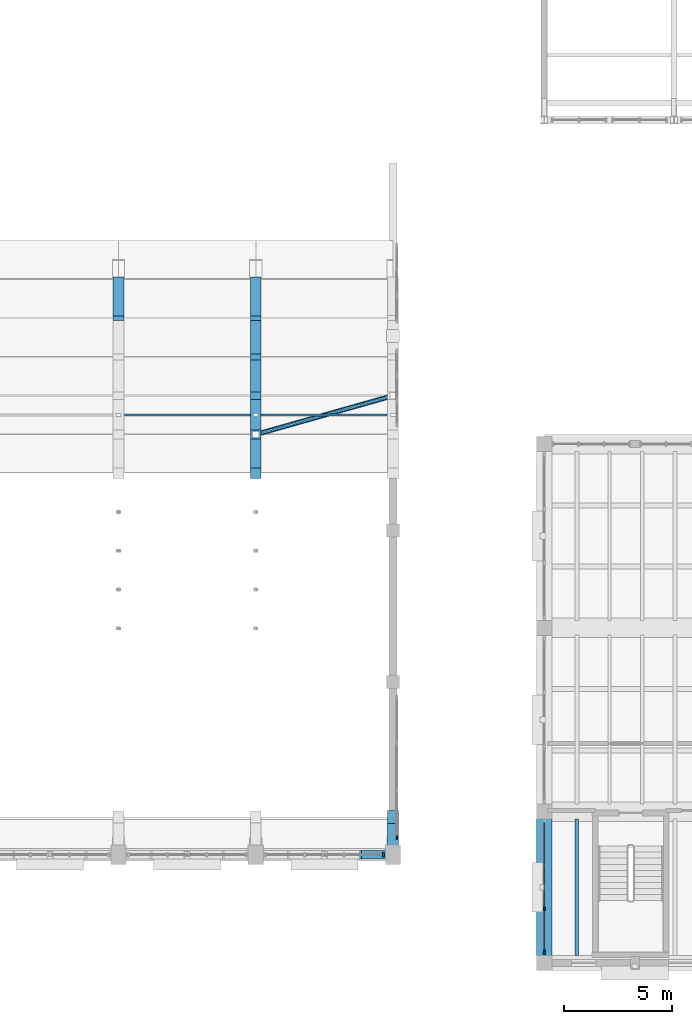
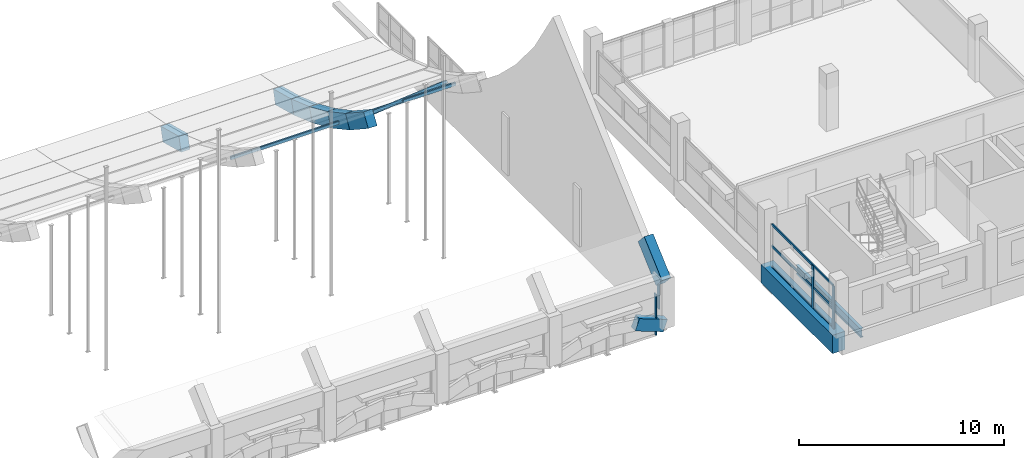
# One storey, part 32 of 77: 18 members, 2 beams, 3 elements without a shape of their own.
"""IFC4 building model written with IfcOpenShell, lengths in metres."""

from ifc_helpers import new_model, si_unit, direction, frame, origin, origin_2d, place, context, subcontext, project, spatial, rectangle, hollow_rectangle, hollow_circle, i_section, extrude, material, layer, layer_set, material_profile, profile_set, type_object, element, aggregate, save


model = new_model("IFC4")

# Units and contexts
model_context = context("Model", 3, precision=1e-05, world=origin(), true_north=direction((0.0, 1.0)))
body_context = subcontext(model_context, "Body", "Model", "MODEL_VIEW")
ifc_project = project(units=[si_unit("LENGTHUNIT", "METRE"), si_unit("AREAUNIT", "SQUARE_METRE"), si_unit("VOLUMEUNIT", "CUBIC_METRE"), si_unit("PLANEANGLEUNIT", "RADIAN"), si_unit("MASSUNIT", "GRAM", prefix="KILO")], contexts=[model_context])

# Site, building, storey
site_placement = place(None, origin())
site = spatial("IfcSite", under=ifc_project, at=site_placement, CompositionType="ELEMENT")
building_placement = place(site_placement, origin())
building = spatial("IfcBuilding", under=site, at=building_placement, Name="Trellovar Central Fire Station", CompositionType="ELEMENT")
storey_placement = place(building_placement, frame((0.0, 0.0, 5.85009765625)))
storey = spatial("IfcBuildingStorey", under=building, at=storey_placement, Name="L02", CompositionType="ELEMENT", Elevation=5.85009765625)

# Beams
ifc_material_1 = material(Name="Concrete C40/50", Category="concrete")
ifc_material_profile_1 = material_profile(ifc_material_1, rectangle(XDim=0.699951171875, YDim=1.10009765625, at=origin_2d()), Name="RC700X1100")
ifc_profile_set_1 = profile_set([ifc_material_profile_1], Name="Concrete C40/50")
beam_type_1 = type_object("IfcBeamType", Name="BM-RG1", PredefinedType="BEAM", material=ifc_profile_set_1)
beam_1_placement = place(storey_placement, frame((105.5, 9.0, -0.550048828125), z_axis=(0.0, 1.0, 0.0), x_axis=(-1.0, 0.0, 0.0)))
element("IfcBeam", 1, at=beam_1_placement, inside=storey, type_object=beam_type_1, Name="L02 transverse transfer tie girder", PredefinedType="BEAM", context=body_context, shape_type="SweptSolid", body=[
    extrude(rectangle(XDim=0.699951171875, YDim=1.10009765625, at=origin_2d()), origin(), (0.0, 0.0, 1.0), 7.0),
])
ifc_material_2 = material(Name="Steel ASTM A992 Grade 50", Category="steel")
ifc_material_profile_2 = material_profile(ifc_material_2, i_section(OverallWidth=0.166015625, OverallDepth=0.529052734375, WebThickness=0.009765625, FlangeThickness=0.013671875, FilletRadius=0.013916015625, at=origin_2d()), Name="W21X50")
ifc_profile_set_2 = profile_set([ifc_material_profile_2], Name="Steel ASTM A992 Grade 50")
beam_type_2 = type_object("IfcBeamType", Name="BM-SW8", PredefinedType="JOIST", material=ifc_profile_set_2)
beam_2_placement = place(storey_placement, frame((107.011962890625, 9.340087890625, -0.714599609375), z_axis=(0.0, 1.0, 0.0), x_axis=(-1.0, 0.0, 0.0)))
element("IfcBeam", 2, at=beam_2_placement, inside=storey, type_object=beam_type_2, Name="L02 secondary steel deck joist", PredefinedType="JOIST", context=body_context, shape_type="SweptSolid", body=[
    extrude(i_section(OverallWidth=0.166015625, OverallDepth=0.529052734375, WebThickness=0.009765625, FlangeThickness=0.013671875, FilletRadius=0.013916015625, at=origin_2d()), origin(), (0.0, 0.0, 1.0), 6.31982421875),
])

# Curtain wall, member
ifc_material_3 = material(Name="Thermally broken bronze anodized aluminum", Category="aluminium")
ifc_layer_1 = layer(ifc_material_3, 0.159912109375)
ifc_layer_set_1 = layer_set([ifc_layer_1], Name="Thermally broken bronze anodized aluminum")
curtain_wall_type_1 = type_object("IfcCurtainWallType", Name="CW-05", PredefinedType="NOTDEFINED", material=ifc_layer_set_1)
curtain_wall_1_placement = place(storey_placement, origin())
curtain_wall_1 = element("IfcCurtainWall", 3, at=curtain_wall_1_placement, inside=storey, type_object=curtain_wall_type_1, Name="V1 south upper clerestory 10", PredefinedType="NOTDEFINED")
ifc_material_4 = material(Name="Thermally broken bronze anodized aluminum", Category="aluminium")
ifc_material_profile_3 = material_profile(ifc_material_4, rectangle(XDim=0.074951171875, YDim=0.199951171875, at=origin_2d()), Name="ALU75X200")
ifc_profile_set_3 = profile_set([ifc_material_profile_3], Name="Thermally broken bronze anodized aluminum")
member_type_1 = type_object("IfcMemberType", Name="CWM-1", PredefinedType="MULLION", material=ifc_profile_set_3)
member_1_placement = place(storey_placement, frame((98.050048828125, 14.0, -0.5), z_axis=(0.0, 0.0, 1.0), x_axis=(1.0, 0.0, 0.0)))
member_1 = element("IfcMember", 4, at=member_1_placement, type_object=member_type_1, Name="CW3-L02-0010 mullion 4", PredefinedType="MULLION", context=body_context, shape_type="SweptSolid", body=[
    extrude(rectangle(XDim=0.074951171875, YDim=0.199951171875, at=origin_2d()), origin(), (0.0, 0.0, 1.0), 2.449951171875),
])
aggregate(curtain_wall_1, [member_1])

# Curtain wall, members
ifc_material_5 = material(Name="Thermally broken bronze anodized aluminum", Category="aluminium")
ifc_layer_2 = layer(ifc_material_5, 0.159912109375)
ifc_layer_set_2 = layer_set([ifc_layer_2], Name="Thermally broken bronze anodized aluminum")
curtain_wall_type_2 = type_object("IfcCurtainWallType", Name="CW-12", PredefinedType="NOTDEFINED", material=ifc_layer_set_2)
curtain_wall_2_placement = place(storey_placement, origin())
curtain_wall_2 = element("IfcCurtainWall", 5, at=curtain_wall_2_placement, inside=storey, type_object=curtain_wall_type_2, Name="V5 L02 west courtyard curtain wall", PredefinedType="NOTDEFINED")
member_2_placement = place(storey_placement, frame((105.5, 11.5, 0.0), z_axis=(0.0, 0.0, 1.0), x_axis=(1.0, 0.0, 0.0)))
member_2 = element("IfcMember", 6, at=member_2_placement, type_object=member_type_1, Name="CW3-L02-0071 mullion 3", PredefinedType="MULLION", context=body_context, shape_type="SweptSolid", body=[
    extrude(rectangle(XDim=0.074951171875, YDim=0.199951171875, at=origin_2d()), origin(), (0.0, 0.0, 1.0), 2.5498046875),
])
member_3_placement = place(storey_placement, frame((105.5, 9.5, 0.0), z_axis=(0.0, 0.0, 1.0), x_axis=(1.0, 0.0, 0.0)))
member_3 = element("IfcMember", 7, at=member_3_placement, type_object=member_type_1, Name="CW3-L02-0071 mullion 4", PredefinedType="MULLION", context=body_context, shape_type="SweptSolid", body=[
    extrude(rectangle(XDim=0.074951171875, YDim=0.199951171875, at=origin_2d()), origin(), (0.0, 0.0, 1.0), 2.5498046875),
])

# Curtain wall, member
ifc_material_6 = material(Name="Thermally broken bronze anodized aluminum", Category="aluminium")
ifc_layer_3 = layer(ifc_material_6, 0.159912109375)
ifc_layer_set_3 = layer_set([ifc_layer_3], Name="Thermally broken bronze anodized aluminum")
curtain_wall_type_3 = type_object("IfcCurtainWallType", Name="CW-15", PredefinedType="NOTDEFINED", material=ifc_layer_set_3)
curtain_wall_3_placement = place(storey_placement, origin())
curtain_wall_3 = element("IfcCurtainWall", 8, at=curtain_wall_3_placement, inside=storey, type_object=curtain_wall_type_3, Name="V1 E ski-jump gable clerestory 1", PredefinedType="NOTDEFINED")
ifc_material_7 = material(Name="Thermally broken bronze anodized aluminum", Category="aluminium")
ifc_material_profile_4 = material_profile(ifc_material_7, rectangle(XDim=0.06494140625, YDim=0.175048828125, at=origin_2d()), Name="ALU65X175")
ifc_profile_set_4 = profile_set([ifc_material_profile_4], Name="Thermally broken bronze anodized aluminum")
member_type_2 = type_object("IfcMemberType", Name="CWM-2", PredefinedType="MULLION", material=ifc_profile_set_4)
member_4_placement = place(storey_placement, frame((98.679931640625, 14.800048828125, 0.349853515625), z_axis=(0.0, 0.0, 1.0), x_axis=(1.0, 0.0, 0.0)))
member_4 = element("IfcMember", 9, at=member_4_placement, type_object=member_type_2, Name="CW3-L02-0016 mullion 1", PredefinedType="MULLION", context=body_context, shape_type="SweptSolid", body=[
    extrude(rectangle(XDim=0.06494140625, YDim=0.175048828125, at=origin_2d()), origin(), (0.0, 0.0, 1.0), 2.5),
])
aggregate(curtain_wall_3, [member_4])

# Member
ifc_material_8 = material(Name="Thermally broken bronze anodized aluminum", Category="aluminium")
ifc_material_profile_5 = material_profile(ifc_material_8, rectangle(XDim=0.06005859375, YDim=0.139892578125, at=origin_2d()), Name="ALU60X140")
ifc_profile_set_5 = profile_set([ifc_material_profile_5], Name="Thermally broken bronze anodized aluminum")
member_type_3 = type_object("IfcMemberType", Name="CWT-1", PredefinedType="USERDEFINED", material=ifc_profile_set_5)
member_5_placement = place(storey_placement, frame((105.5, 15.5, 0.0), z_axis=(0.0, -1.0, 0.0), x_axis=(1.0, 0.0, 0.0)))
member_5 = element("IfcMember", 10, at=member_5_placement, type_object=member_type_3, Name="CW3-L02-0071 transom 1", ObjectType="TRANSOM", PredefinedType="USERDEFINED", context=body_context, shape_type="SweptSolid", body=[
    extrude(rectangle(XDim=0.06005859375, YDim=0.139892578125, at=origin_2d()), origin(), (0.0, 0.0, 1.0), 6.0),
])

member_6_placement = place(storey_placement, frame((105.5, 15.5, 1.27490234375), z_axis=(0.0, -1.0, 0.0), x_axis=(1.0, 0.0, 0.0)))
member_6 = element("IfcMember", 11, at=member_6_placement, type_object=member_type_3, Name="CW3-L02-0071 transom 2", ObjectType="TRANSOM", PredefinedType="USERDEFINED", context=body_context, shape_type="SweptSolid", body=[
    extrude(rectangle(XDim=0.06005859375, YDim=0.139892578125, at=origin_2d()), origin(), (0.0, 0.0, 1.0), 6.0),
])

member_7_placement = place(storey_placement, frame((105.5, 15.5, 2.5498046875), z_axis=(0.0, -1.0, 0.0), x_axis=(1.0, 0.0, 0.0)))
member_7 = element("IfcMember", 12, at=member_7_placement, type_object=member_type_3, Name="CW3-L02-0071 transom 3", ObjectType="TRANSOM", PredefinedType="USERDEFINED", context=body_context, shape_type="SweptSolid", body=[
    extrude(rectangle(XDim=0.06005859375, YDim=0.139892578125, at=origin_2d()), origin(), (0.0, 0.0, 1.0), 6.0),
])

aggregate(curtain_wall_2, [member_2, member_3, member_5, member_6, member_7])

# Members
ifc_material_9 = material(Name="Concrete C40/50", Category="concrete")
ifc_material_profile_6 = material_profile(ifc_material_9, rectangle(XDim=0.5, YDim=0.89990234375, at=origin_2d()), Name="RC500X900")
ifc_profile_set_6 = profile_set([ifc_material_profile_6], Name="Concrete C40/50")
member_type_4 = type_object("IfcMemberType", Name="MEM-AR1", PredefinedType="CHORD", material=ifc_profile_set_6)
member_8_placement = place(storey_placement, frame((98.5, 14.0, 2.5), z_axis=(0.0, 0.744410696022, 0.667722034718), x_axis=(-1.0, 0.0, 0.0)))
element("IfcMember", 13, at=member_8_placement, inside=storey, type_object=member_type_4, Name="Parabolic arch rib AR-11 chord 01", PredefinedType="CHORD", context=body_context, shape_type="SweptSolid", body=[
    extrude(rectangle(XDim=0.5, YDim=0.89990234375, at=origin_2d()), origin(), (0.0, 0.0, 1.0), 2.34619140625),
])
ifc_material_10 = material(Name="Concrete C40/50", Category="concrete")
ifc_material_profile_7 = material_profile(ifc_material_10, rectangle(XDim=0.5, YDim=0.85009765625, at=origin_2d()), Name="RC500X850")
ifc_profile_set_7 = profile_set([ifc_material_profile_7], Name="Concrete C40/50")
member_type_5 = type_object("IfcMemberType", Name="MEM-AR2", PredefinedType="CHORD", material=ifc_profile_set_7)
member_9_placement = place(storey_placement, frame((85.800048828125, 38.82666015625, 0.173583984375), z_axis=(0.0, 0.966592167816, -0.25631929525), x_axis=(-1.0, 0.0, 0.0)))
element("IfcMember", 14, at=member_9_placement, inside=storey, type_object=member_type_5, Name="Parabolic arch rib AR-09 chord 15", PredefinedType="CHORD", context=body_context, shape_type="SweptSolid", body=[
    extrude(rectangle(XDim=0.5, YDim=0.85009765625, at=origin_2d()), origin(), (0.0, 0.0, 1.0), 1.85546875),
])
member_10_placement = place(storey_placement, frame((92.14990234375, 31.6533203125, 3.73974609375), z_axis=(0.0, 0.835516018722, -0.549466088544), x_axis=(-1.0, 0.0, 0.0)))
element("IfcMember", 15, at=member_10_placement, inside=storey, type_object=member_type_5, Name="Parabolic arch rib AR-10 chord 11", PredefinedType="CHORD", context=body_context, shape_type="SweptSolid", body=[
    extrude(rectangle(XDim=0.5, YDim=0.85009765625, at=origin_2d()), origin(), (0.0, 0.0, 1.0), 2.146484375),
])
member_11_placement = place(storey_placement, frame((92.14990234375, 33.44677734375, 2.560302734375), z_axis=(0.0, 0.879319122317, -0.476233011379), x_axis=(-1.0, 0.0, 0.0)))
element("IfcMember", 16, at=member_11_placement, inside=storey, type_object=member_type_5, Name="Parabolic arch rib AR-10 chord 12", PredefinedType="CHORD", context=body_context, shape_type="SweptSolid", body=[
    extrude(rectangle(XDim=0.5, YDim=0.85009765625, at=origin_2d()), origin(), (0.0, 0.0, 1.0), 2.039306640625),
])
member_12_placement = place(storey_placement, frame((92.14990234375, 35.239990234375, 1.589111328125), z_axis=(0.0, 0.915259901496, -0.402863888569), x_axis=(-1.0, 0.0, 0.0)))
element("IfcMember", 17, at=member_12_placement, inside=storey, type_object=member_type_5, Name="Parabolic arch rib AR-10 chord 13", PredefinedType="CHORD", context=body_context, shape_type="SweptSolid", body=[
    extrude(rectangle(XDim=0.5, YDim=0.85009765625, at=origin_2d()), origin(), (0.0, 0.0, 1.0), 1.959228515625),
])
member_13_placement = place(storey_placement, frame((92.14990234375, 37.033203125, 0.7998046875), z_axis=(0.0, 0.94410254219, -0.329651922232), x_axis=(-1.0, 0.0, 0.0)))
element("IfcMember", 18, at=member_13_placement, inside=storey, type_object=member_type_5, Name="Parabolic arch rib AR-10 chord 14", PredefinedType="CHORD", context=body_context, shape_type="SweptSolid", body=[
    extrude(rectangle(XDim=0.5, YDim=0.85009765625, at=origin_2d()), origin(), (0.0, 0.0, 1.0), 1.899658203125),
])
member_14_placement = place(storey_placement, frame((92.14990234375, 38.82666015625, 0.173583984375), z_axis=(0.0, 0.966592167816, -0.25631929525), x_axis=(-1.0, 0.0, 0.0)))
element("IfcMember", 19, at=member_14_placement, inside=storey, type_object=member_type_5, Name="Parabolic arch rib AR-10 chord 15", PredefinedType="CHORD", context=body_context, shape_type="SweptSolid", body=[
    extrude(rectangle(XDim=0.5, YDim=0.85009765625, at=origin_2d()), origin(), (0.0, 0.0, 1.0), 1.85546875),
])
ifc_material_11 = material(Name="Steel ASTM A500 Grade C", Category="steel")
ifc_material_profile_8 = material_profile(ifc_material_11, hollow_circle(Radius=0.109619140625, WallThickness=0.0087890625, at=origin_2d()), Name="HSS8.625X0.375")
ifc_profile_set_8 = profile_set([ifc_material_profile_8], Name="Steel ASTM A500 Grade C")
member_type_6 = type_object("IfcMemberType", Name="MEM-BR5", PredefinedType="BRACE", material=ifc_profile_set_8)
member_15_placement = place(storey_placement, frame((92.14990234375, 33.44677734375, 2.51025390625), z_axis=(0.952111488671, 0.268868084748, -0.145580445615), x_axis=(-0.271763337884, 0.962364114139, 0.0)))
element("IfcMember", 20, at=member_15_placement, inside=storey, type_object=member_type_6, Name="Vault diagonal brace V1-10-12", PredefinedType="BRACE", context=body_context, shape_type="SweptSolid", body=[
    extrude(hollow_circle(Radius=0.109619140625, WallThickness=0.0087890625, at=origin_2d()), origin(), (0.0, 0.0, 1.0), 6.66943359375),
])
ifc_material_12 = material(Name="Concrete C40/50", Category="concrete")
ifc_material_profile_9 = material_profile(ifc_material_12, rectangle(XDim=0.39990234375, YDim=0.699951171875, at=origin_2d()), Name="RC400X700")
ifc_profile_set_9 = profile_set([ifc_material_profile_9], Name="Concrete C40/50")
member_type_7 = type_object("IfcMemberType", Name="MEM-LR1", PredefinedType="CHORD", material=ifc_profile_set_9)
member_16_placement = place(storey_placement, frame((96.91259765625, 14.0, 0.599853515625), z_axis=(0.935439324213, 0.0, -0.35348729923), x_axis=(0.0, 1.0, 0.0)))
element("IfcMember", 21, at=member_16_placement, inside=storey, type_object=member_type_7, Name="V1 south bay 10 parabolic portal arch seg 4", PredefinedType="CHORD", context=body_context, shape_type="SweptSolid", body=[
    extrude(rectangle(XDim=0.39990234375, YDim=0.699951171875, at=origin_2d()), origin(), (0.0, 0.0, 1.0), 1.697021484375),
])
ifc_material_13 = material(Name="Steel ASTM A500 Grade C", Category="steel")
ifc_material_profile_10 = material_profile(ifc_material_13, hollow_rectangle(XDim=0.1015625, YDim=0.203125, WallThickness=0.0087890625, InnerFilletRadius=0.0087890625, OuterFilletRadius=0.017822265625, at=origin_2d()), Name="HSS8X4X3/8")
ifc_profile_set_10 = profile_set([ifc_material_profile_10], Name="Steel ASTM A500 Grade C")
member_type_8 = type_object("IfcMemberType", Name="MEM-PU1", PredefinedType="PURLIN", material=ifc_profile_set_10)
member_17_placement = place(storey_placement, frame((85.800048828125, 34.343505859375, 1.98486328125), z_axis=(1.0, 0.0, 0.0), x_axis=(0.0, 1.0, 0.0)))
element("IfcMember", 22, at=member_17_placement, inside=storey, type_object=member_type_8, Name="Vault purlin V1-09-12", PredefinedType="PURLIN", context=body_context, shape_type="SweptSolid", body=[
    extrude(hollow_rectangle(XDim=0.1015625, YDim=0.203125, WallThickness=0.0087890625, InnerFilletRadius=0.0087890625, OuterFilletRadius=0.017822265625, at=origin_2d()), origin(), (0.0, 0.0, 1.0), 6.349853515625),
])
member_18_placement = place(storey_placement, frame((92.14990234375, 34.343505859375, 1.98486328125), z_axis=(1.0, 0.0, 0.0), x_axis=(0.0, 1.0, 0.0)))
element("IfcMember", 23, at=member_18_placement, inside=storey, type_object=member_type_8, Name="Vault purlin V1-10-12", PredefinedType="PURLIN", context=body_context, shape_type="SweptSolid", body=[
    extrude(hollow_rectangle(XDim=0.1015625, YDim=0.203125, WallThickness=0.0087890625, InnerFilletRadius=0.0087890625, OuterFilletRadius=0.017822265625, at=origin_2d()), origin(), (0.0, 0.0, 1.0), 6.35009765625),
])

save(model, "model.ifc")
